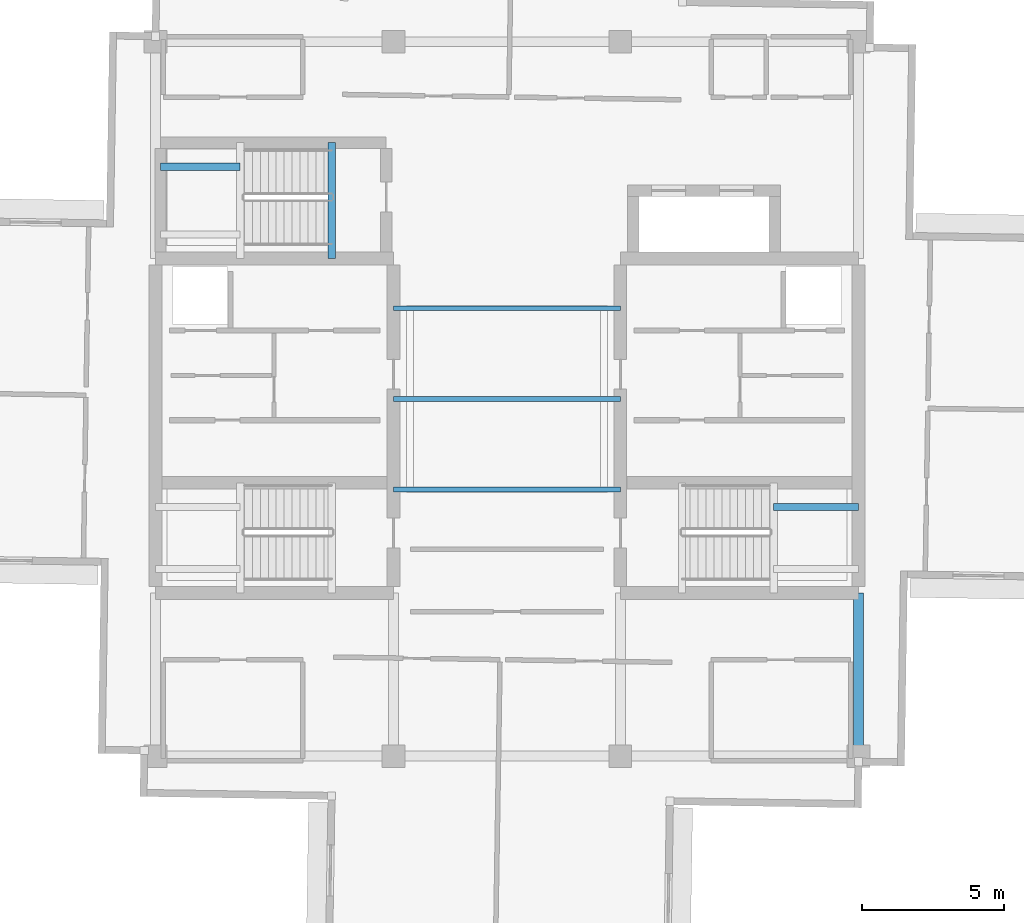
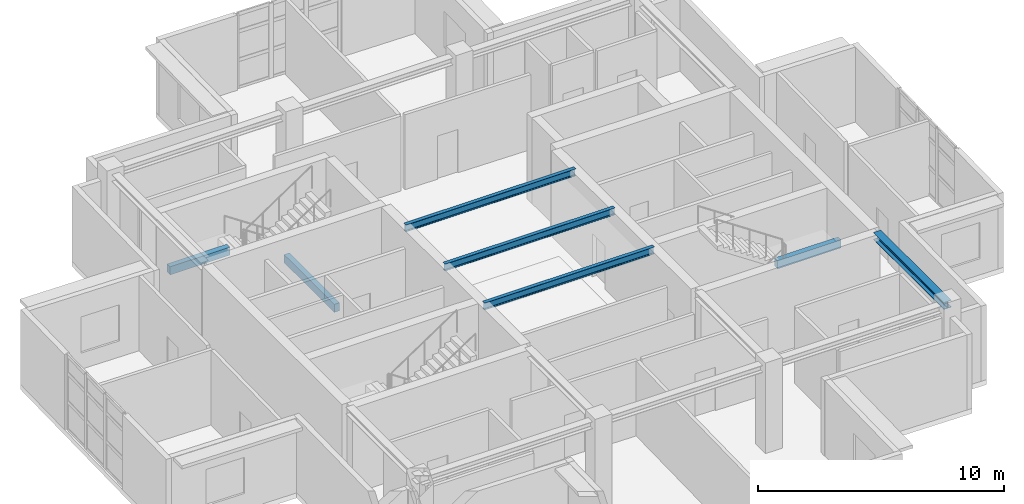
# One storey, part 5 of 15: 7 beams.
"""IFC4 building model written with IfcOpenShell, lengths in metres."""

from ifc_helpers import new_model, si_unit, direction, frame, origin, origin_2d, place, context, subcontext, project, spatial, rectangle, i_section, extrude, material, material_profile, profile_set, type_object, element, save


model = new_model("IFC4")

# Units and contexts
model_context = context("Model", 3, precision=1e-05, world=origin(), true_north=direction((0.0, 1.0)))
body_context = subcontext(model_context, "Body", "Model", "MODEL_VIEW")
ifc_project = project(units=[si_unit("LENGTHUNIT", "METRE"), si_unit("AREAUNIT", "SQUARE_METRE"), si_unit("VOLUMEUNIT", "CUBIC_METRE"), si_unit("PLANEANGLEUNIT", "RADIAN"), si_unit("MASSUNIT", "GRAM", prefix="KILO")], contexts=[model_context])

# Site, building, storey
site_placement = place(None, origin())
site = spatial("IfcSite", under=ifc_project, at=site_placement, CompositionType="ELEMENT")
building_placement = place(site_placement, origin())
building = spatial("IfcBuilding", under=site, at=building_placement, Name="Qingluan Cross Belvedere", CompositionType="ELEMENT")
storey_placement = place(building_placement, frame((0.0, 0.0, 312.89990234375)))
storey = spatial("IfcBuildingStorey", under=building, at=storey_placement, Name="L77", CompositionType="ELEMENT", Elevation=312.89990234375)

# Beams
ifc_material_1 = material(Name="Concrete C45", Category="concrete")
ifc_material_profile_1 = material_profile(ifc_material_1, rectangle(XDim=0.25, YDim=0.39990234375, at=origin_2d()), Name="RC250x400")
ifc_profile_set_1 = profile_set([ifc_material_profile_1], Name="Concrete C45")
beam_type_1 = type_object("IfcBeamType", Name="RC_Lintel_RC250x400", PredefinedType="LINTEL", material=ifc_profile_set_1)
beam_1_placement = place(storey_placement, frame((-6.179931640625, 4.949951171875, -0.199951171875), z_axis=(0.0, 1.0, 0.0), x_axis=(-1.0, 0.0, 0.0)))
element("IfcBeam", 1, at=beam_1_placement, inside=storey, type_object=beam_type_1, Name="Stair ST3 landing beam L77", PredefinedType="LINTEL", context=body_context, shape_type="SweptSolid", body=[
    extrude(rectangle(XDim=0.25, YDim=0.39990234375, at=origin_2d()), origin(), (0.0, 0.0, 1.0), 4.090087890625),
])
beam_2_placement = place(storey_placement, frame((12.39990234375, -3.81005859375, 1.85009765625), z_axis=(-1.0, 0.0, 0.0), x_axis=(0.0, -1.0, 0.0)))
element("IfcBeam", 2, at=beam_2_placement, inside=storey, type_object=beam_type_1, Name="Stair ST2 beam C L77", PredefinedType="LINTEL", context=body_context, shape_type="SweptSolid", body=[
    extrude(rectangle(XDim=0.25, YDim=0.39990234375, at=origin_2d()), origin(), (0.0, 0.0, 1.0), 2.989990234375),
])
beam_3_placement = place(storey_placement, frame((-12.219970703125, 8.18994140625, 1.85009765625), z_axis=(1.0, 0.0, 0.0), x_axis=(0.0, 1.0, 0.0)))
element("IfcBeam", 3, at=beam_3_placement, inside=storey, type_object=beam_type_1, Name="Stair ST3 beam C L77", PredefinedType="LINTEL", context=body_context, shape_type="SweptSolid", body=[
    extrude(rectangle(XDim=0.25, YDim=0.39990234375, at=origin_2d()), origin(), (0.0, 0.0, 1.0), 2.81005859375),
])
ifc_material_2 = material(Name="Steel Q420GJB", Category="steel")
ifc_material_profile_2 = material_profile(ifc_material_2, i_section(OverallWidth=0.175048828125, OverallDepth=0.35009765625, WebThickness=0.007080078125, FlangeThickness=0.010986328125, FilletRadius=0.012939453125, at=origin_2d()), Name="HN350x175x7x11")
ifc_profile_set_2 = profile_set([ifc_material_profile_2], Name="Steel Q420GJB")
beam_type_2 = type_object("IfcBeamType", Name="Steel_Beam_HN350x175x7x11", PredefinedType="JOIST", material=ifc_profile_set_2)
for number, where, z_axis, x_axis, name in (
    (4, (-4.0, -3.199951171875, 4.0751953125), (1.0, 0.0, 0.0), (0.0, 1.0, 0.0), "Hall beam L77-CH1"),
    (5, (-4.0, 0.0, 4.0751953125), (1.0, 0.0, 0.0), (0.0, 1.0, 0.0), "Hall beam L77-CH2"),
    (6, (-4.0, 3.199951171875, 4.0751953125), (1.0, 0.0, 0.0), (0.0, 1.0, 0.0), "Hall beam L77-CH3"),
):
    element("IfcBeam", number, at=place(storey_placement, frame(where, z_axis=z_axis, x_axis=x_axis)), inside=storey, type_object=beam_type_2, Name=name, PredefinedType="JOIST", context=body_context, shape_type="SweptSolid", body=[
        extrude(i_section(OverallWidth=0.175048828125, OverallDepth=0.35009765625, WebThickness=0.007080078125, FlangeThickness=0.010986328125, FilletRadius=0.012939453125, at=origin_2d()), origin(), (0.0, 0.0, 1.0), 8.0),
    ])
ifc_material_3 = material(Name="Steel Q420GJB", Category="steel")
ifc_material_profile_3 = material_profile(ifc_material_3, i_section(OverallWidth=0.35009765625, OverallDepth=0.35009765625, WebThickness=0.011962890625, FlangeThickness=0.01904296875, FilletRadius=0.02001953125, at=origin_2d()), Name="HW350x350x12x19")
ifc_profile_set_3 = profile_set([ifc_material_profile_3], Name="Steel Q420GJB")
beam_type_3 = type_object("IfcBeamType", Name="Steel_Girder_HW350x350x12x19", PredefinedType="USERDEFINED", material=ifc_profile_set_3)
beam_4_placement = place(storey_placement, frame((12.39990234375, -12.60009765625, 4.0751953125), z_axis=(0.0, 1.0, 0.0), x_axis=(-1.0, 0.0, 0.0)))
element("IfcBeam", 7, at=beam_4_placement, inside=storey, type_object=beam_type_3, Name="Hub girder L77-HG-E1", ObjectType="GIRDER", PredefinedType="USERDEFINED", context=body_context, shape_type="SweptSolid", body=[
    extrude(i_section(OverallWidth=0.35009765625, OverallDepth=0.35009765625, WebThickness=0.011962890625, FlangeThickness=0.01904296875, FilletRadius=0.02001953125, at=origin_2d()), origin(), (0.0, 0.0, 1.0), 5.75),
])

save(model, "model.ifc")
